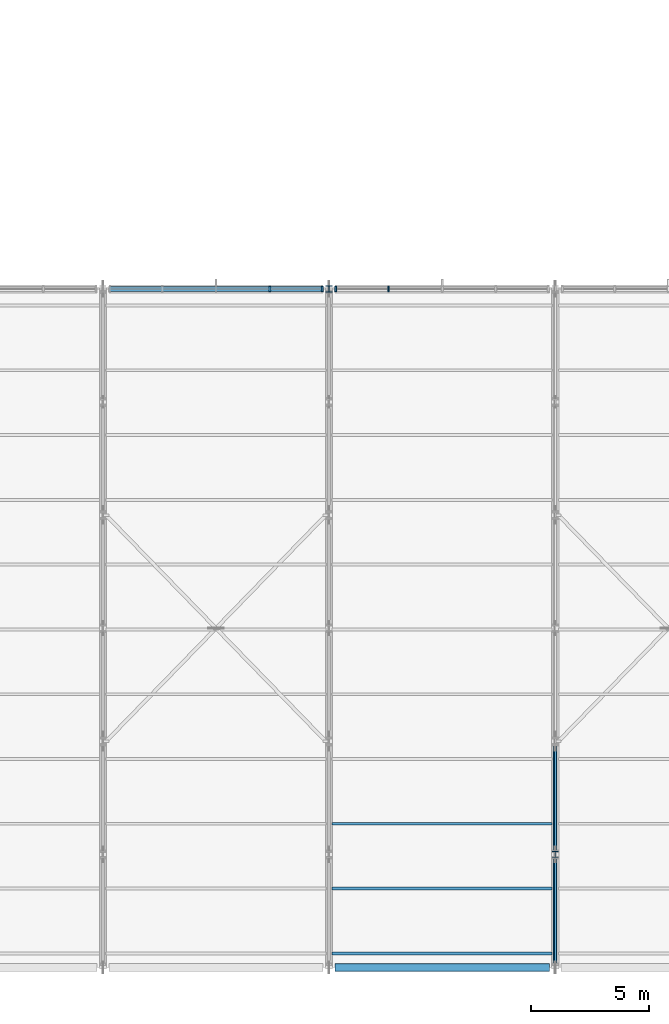
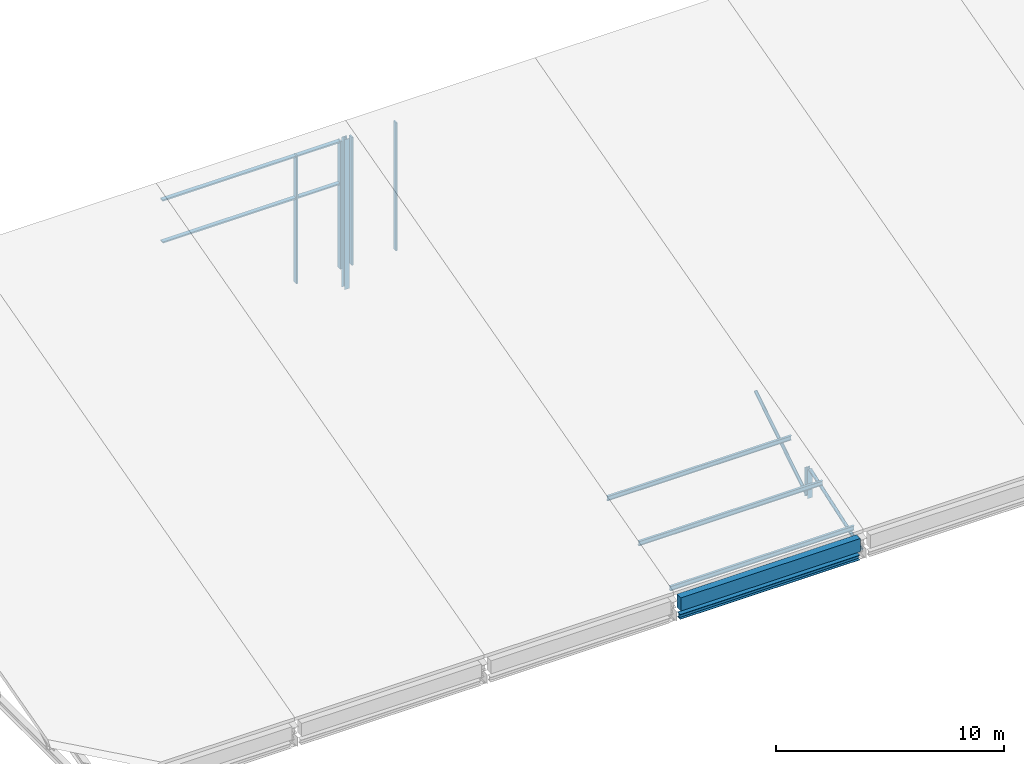
# One storey, part 6 of 57: 14 members, 1 beam, 2 elements without a shape of their own.
"""IFC4 building model written with IfcOpenShell, lengths in metres."""

from ifc_helpers import new_model, si_unit, direction, frame, origin, origin_2d, place, context, subcontext, project, spatial, rectangle, hollow_circle, i_section, extrude, material, material_profile, profile_set, type_object, element, aggregate, save


model = new_model("IFC4")

# Units and contexts
model_context = context("Model", 3, precision=1e-05, world=origin(), true_north=direction((0.0, 1.0)))
body_context = subcontext(model_context, "Body", "Model", "MODEL_VIEW")
ifc_project = project(units=[si_unit("LENGTHUNIT", "METRE"), si_unit("AREAUNIT", "SQUARE_METRE"), si_unit("VOLUMEUNIT", "CUBIC_METRE"), si_unit("PLANEANGLEUNIT", "RADIAN"), si_unit("MASSUNIT", "GRAM", prefix="KILO")], contexts=[model_context])

# Site, building, storey
site_placement = place(None, origin())
site = spatial("IfcSite", under=ifc_project, at=site_placement, CompositionType="ELEMENT")
building_placement = place(site_placement, origin())
building = spatial("IfcBuilding", under=site, at=building_placement, Name="Shalvenor Court Art Gallery", CompositionType="ELEMENT")
storey_placement = place(building_placement, frame((0.0, 0.0, 16.800048828125)))
storey = spatial("IfcBuildingStorey", under=building, at=storey_placement, Name="L03", CompositionType="ELEMENT", Elevation=16.800048828125)

# Curtain wall, members
ifc_material_1 = material(Name="Anodised aluminium and low-iron glass curtain wall", Category="aluminium")
curtain_wall_type = type_object("IfcCurtainWallType", Name="CW-NL-V4", PredefinedType="USERDEFINED", material=ifc_material_1)
curtain_wall_1_placement = place(storey_placement, origin())
curtain_wall_1 = element("IfcCurtainWall", 1, at=curtain_wall_1_placement, inside=storey, type_object=curtain_wall_type, Name="L03 V4 North Light Clerestory 3", ObjectType="CURTAIN WALL", PredefinedType="USERDEFINED")
ifc_material_2 = material(Name="Dark anodised bronze aluminium mullion", Category="aluminium")
ifc_material_profile_1 = material_profile(ifc_material_2, rectangle(XDim=0.080078125, YDim=0.239990234375, at=origin_2d()), Name="CWM-05")
ifc_profile_set_1 = profile_set([ifc_material_profile_1], Name="Dark anodised bronze aluminium mullion")
member_type_1 = type_object("IfcMemberType", Name="CWM-05", PredefinedType="MULLION", material=ifc_profile_set_1)
member_1_placement = place(storey_placement, frame((26.27490234375, 28.800048828125, 0.0), z_axis=(0.0, 0.0, 1.0), x_axis=(1.0, 0.0, 0.0)))
member_1 = element("IfcMember", 2, at=member_1_placement, type_object=member_type_1, Name="CW-NL-V4 mullion 4", PredefinedType="MULLION", context=body_context, shape_type="SweptSolid", body=[
    extrude(rectangle(XDim=0.080078125, YDim=0.239990234375, at=origin_2d()), origin(), (0.0, 0.0, 1.0), 6.849853515625),
])
member_2_placement = place(storey_placement, frame((28.510009765625, 28.800048828125, 0.0), z_axis=(0.0, 0.0, 1.0), x_axis=(1.0, 0.0, 0.0)))
member_2 = element("IfcMember", 3, at=member_2_placement, type_object=member_type_1, Name="CW-NL-V4 mullion 5", PredefinedType="MULLION", context=body_context, shape_type="SweptSolid", body=[
    extrude(rectangle(XDim=0.080078125, YDim=0.239990234375, at=origin_2d()), origin(), (0.0, 0.0, 1.0), 6.849853515625),
])

curtain_wall_2_placement = place(storey_placement, origin())
curtain_wall_2 = element("IfcCurtainWall", 4, at=curtain_wall_2_placement, inside=storey, type_object=curtain_wall_type, Name="L03 V4 North Light Clerestory 4", ObjectType="CURTAIN WALL", PredefinedType="USERDEFINED")
member_3_placement = place(storey_placement, frame((29.090087890625, 28.800048828125, 0.0), z_axis=(0.0, 0.0, 1.0), x_axis=(1.0, 0.0, 0.0)))
member_3 = element("IfcMember", 5, at=member_3_placement, type_object=member_type_1, Name="CW-NL-V4 mullion 1", PredefinedType="MULLION", context=body_context, shape_type="SweptSolid", body=[
    extrude(rectangle(XDim=0.080078125, YDim=0.239990234375, at=origin_2d()), origin(), (0.0, 0.0, 1.0), 6.849853515625),
])
member_4_placement = place(storey_placement, frame((31.324951171875, 28.800048828125, 0.0), z_axis=(0.0, 0.0, 1.0), x_axis=(1.0, 0.0, 0.0)))
member_4 = element("IfcMember", 6, at=member_4_placement, type_object=member_type_1, Name="CW-NL-V4 mullion 2", PredefinedType="MULLION", context=body_context, shape_type="SweptSolid", body=[
    extrude(rectangle(XDim=0.080078125, YDim=0.239990234375, at=origin_2d()), origin(), (0.0, 0.0, 1.0), 6.849853515625),
])
aggregate(curtain_wall_2, [member_3, member_4])

# Member
ifc_material_3 = material(Name="Dark anodised bronze aluminium transom", Category="aluminium")
ifc_material_profile_2 = material_profile(ifc_material_3, rectangle(XDim=0.2099609375, YDim=0.074951171875, at=origin_2d()), Name="CWT-05")
ifc_profile_set_2 = profile_set([ifc_material_profile_2], Name="Dark anodised bronze aluminium transom")
member_type_2 = type_object("IfcMemberType", Name="CWT-05", PredefinedType="USERDEFINED", material=ifc_profile_set_2)
member_5_placement = place(storey_placement, frame((19.489990234375, 28.800048828125, 4.566650390625), z_axis=(1.0, 0.0, 0.0), x_axis=(0.0, 1.0, 0.0)))
member_5 = element("IfcMember", 7, at=member_5_placement, type_object=member_type_2, Name="CW-NL-V4 transom 3", ObjectType="TRANSOM", PredefinedType="USERDEFINED", context=body_context, shape_type="SweptSolid", body=[
    extrude(rectangle(XDim=0.2099609375, YDim=0.074951171875, at=origin_2d()), origin(), (0.0, 0.0, 1.0), 9.02001953125),
])

member_6_placement = place(storey_placement, frame((19.489990234375, 28.800048828125, 6.8125), z_axis=(1.0, 0.0, 0.0), x_axis=(0.0, 1.0, 0.0)))
member_6 = element("IfcMember", 8, at=member_6_placement, type_object=member_type_2, Name="CW-NL-V4 transom 4", ObjectType="TRANSOM", PredefinedType="USERDEFINED", context=body_context, shape_type="SweptSolid", body=[
    extrude(rectangle(XDim=0.2099609375, YDim=0.074951171875, at=origin_2d()), origin(), (0.0, 0.0, 1.0), 9.02001953125),
])

aggregate(curtain_wall_1, [member_1, member_2, member_5, member_6])

# Members
ifc_material_4 = material(Name="Steel S355", Category="steel")
ifc_material_profile_3 = material_profile(ifc_material_4, i_section(OverallWidth=0.1201171875, OverallDepth=0.239990234375, WebThickness=0.006103515625, FlangeThickness=0.009765625, at=origin_2d()), Name="IPE 240")
ifc_profile_set_3 = profile_set([ifc_material_profile_3], Name="Steel S355")
member_type_3 = type_object("IfcMemberType", Name="PR-02", PredefinedType="PURLIN", material=ifc_profile_set_3)
for number, where, z_axis, x_axis, name in (
    (9, (28.93505859375, 0.60009765625, -0.2138671875), (1.0, 0.0, 0.0), (0.0, 1.0, 0.0), "L03 V4 Roof Purlin 4.1"),
    (10, (28.93505859375, 3.35009765625, 0.531005859375), (1.0, 0.0, 0.0), (0.0, 1.0, 0.0), "L03 V4 Roof Purlin 4.2"),
    (11, (28.93505859375, 6.10009765625, 1.275634765625), (1.0, 0.0, 0.0), (0.0, 1.0, 0.0), "L03 V4 Roof Purlin 4.3"),
):
    element("IfcMember", number, at=place(storey_placement, frame(where, z_axis=z_axis, x_axis=x_axis)), inside=storey, type_object=member_type_3, Name=name, PredefinedType="PURLIN", context=body_context, shape_type="SweptSolid", body=[
        extrude(i_section(OverallWidth=0.1201171875, OverallDepth=0.239990234375, WebThickness=0.006103515625, FlangeThickness=0.009765625, at=origin_2d()), origin(), (0.0, 0.0, 1.0), 9.329833984375),
    ])

# Beam
ifc_material_5 = material(Name="Concrete C40/50", Category="concrete")
ifc_material_profile_4 = material_profile(ifc_material_5, rectangle(XDim=0.35009765625, YDim=0.699951171875, at=origin_2d()), Name="RC 350x700")
ifc_profile_set_4 = profile_set([ifc_material_profile_4], Name="Concrete C40/50")
beam_type = type_object("IfcBeamType", Name="SP-01", PredefinedType="SPANDREL", material=ifc_profile_set_4)
beam_placement = place(storey_placement, frame((29.050048828125, 0.0, -0.650146484375), z_axis=(1.0, 0.0, 0.0), x_axis=(0.0, 1.0, 0.0)))
element("IfcBeam", 12, at=beam_placement, inside=storey, type_object=beam_type, Name="L03 Spandrel Girder BM-L03-SP-01-1043", PredefinedType="SPANDREL", context=body_context, shape_type="SweptSolid", body=[
    extrude(rectangle(XDim=0.35009765625, YDim=0.699951171875, at=origin_2d()), origin(), (0.0, 0.0, 1.0), 9.099853515625),
])

# Members
ifc_material_6 = material(Name="Steel S355", Category="steel")
ifc_material_profile_5 = material_profile(ifc_material_6, i_section(OverallWidth=0.260009765625, OverallDepth=0.260009765625, WebThickness=0.010009765625, FlangeThickness=0.017578125, at=origin_2d()), Name="HEB 260")
ifc_profile_set_5 = profile_set([ifc_material_profile_5], Name="Steel S355")
member_type_4 = type_object("IfcMemberType", Name="TM-C1", PredefinedType="CHORD", material=ifc_profile_set_5)
member_7_placement = place(storey_placement, frame((29.050048828125, 0.0, -1.35009765625), z_axis=(1.0, 0.0, 0.0), x_axis=(0.0, 1.0, 0.0)))
element("IfcMember", 13, at=member_7_placement, inside=storey, type_object=member_type_4, Name="L03 V4 Eave Truss Chord Tie 4.1", PredefinedType="CHORD", context=body_context, shape_type="SweptSolid", body=[
    extrude(i_section(OverallWidth=0.260009765625, OverallDepth=0.260009765625, WebThickness=0.010009765625, FlangeThickness=0.017578125, at=origin_2d()), origin(), (0.0, 0.0, 1.0), 9.099853515625),
])
ifc_material_7 = material(Name="Steel S355", Category="steel")
ifc_material_profile_6 = material_profile(ifc_material_7, hollow_circle(Radius=0.084228515625, WallThickness=0.008056640625, at=origin_2d()), Name="CHS 168.3x8.0")
ifc_profile_set_6 = profile_set([ifc_material_profile_6], Name="Steel S355")
member_type_5 = type_object("IfcMemberType", Name="TM-D2", PredefinedType="BRACE", material=ifc_profile_set_6)
member_8_placement = place(storey_placement, frame((38.39990234375, 0.139892578125, -1.16015625), z_axis=(0.0, 0.946456948747, 0.322830054625), x_axis=(-1.0, 0.0, 0.0)))
element("IfcMember", 14, at=member_8_placement, inside=storey, type_object=member_type_5, Name="TR-V4-05 Roof Truss Diagonal 1", PredefinedType="BRACE", context=body_context, shape_type="SweptSolid", body=[
    extrude(hollow_circle(Radius=0.084228515625, WallThickness=0.008056640625, at=origin_2d()), origin(), (0.0, 0.0, 1.0), 4.775634765625),
])
member_9_placement = place(storey_placement, frame((38.39990234375, 4.93994140625, -1.16015625), z_axis=(0.0, 0.84658238997, 0.532257697918), x_axis=(-1.0, 0.0, 0.0)))
element("IfcMember", 15, at=member_9_placement, inside=storey, type_object=member_type_5, Name="TR-V4-05 Roof Truss Diagonal 2", PredefinedType="BRACE", context=body_context, shape_type="SweptSolid", body=[
    extrude(hollow_circle(Radius=0.084228515625, WallThickness=0.008056640625, at=origin_2d()), origin(), (0.0, 0.0, 1.0), 5.339111328125),
])
ifc_material_8 = material(Name="Steel S355", Category="steel")
ifc_material_profile_7 = material_profile(ifc_material_8, i_section(OverallWidth=0.260009765625, OverallDepth=0.260009765625, WebThickness=0.010009765625, FlangeThickness=0.017578125, at=origin_2d()), Name="HEB 260")
ifc_profile_set_7 = profile_set([ifc_material_profile_7], Name="Steel S355")
member_type_6 = type_object("IfcMemberType", Name="TM-V1", PredefinedType="STRUT", material=ifc_profile_set_7)
member_10_placement = place(storey_placement, frame((28.800048828125, 28.800048828125, -1.155029296875), z_axis=(0.0, 0.0, 1.0), x_axis=(1.0, 0.0, 0.0)))
element("IfcMember", 16, at=member_10_placement, inside=storey, type_object=member_type_6, Name="TR-V4-04 Roof Truss Vertical 7", PredefinedType="STRUT", context=body_context, shape_type="SweptSolid", body=[
    extrude(i_section(OverallWidth=0.260009765625, OverallDepth=0.260009765625, WebThickness=0.010009765625, FlangeThickness=0.017578125, at=origin_2d()), origin(), (0.0, 0.0, 1.0), 8.03173828125),
])
member_11_placement = place(storey_placement, frame((38.39990234375, 4.800048828125, -1.155029296875), z_axis=(0.0, 0.0, 1.0), x_axis=(1.0, 0.0, 0.0)))
element("IfcMember", 17, at=member_11_placement, inside=storey, type_object=member_type_6, Name="TR-V4-05 Roof Truss Vertical 2", PredefinedType="STRUT", context=body_context, shape_type="SweptSolid", body=[
    extrude(i_section(OverallWidth=0.260009765625, OverallDepth=0.260009765625, WebThickness=0.010009765625, FlangeThickness=0.017578125, at=origin_2d()), origin(), (0.0, 0.0, 1.0), 1.53173828125),
])

save(model, "model.ifc")
